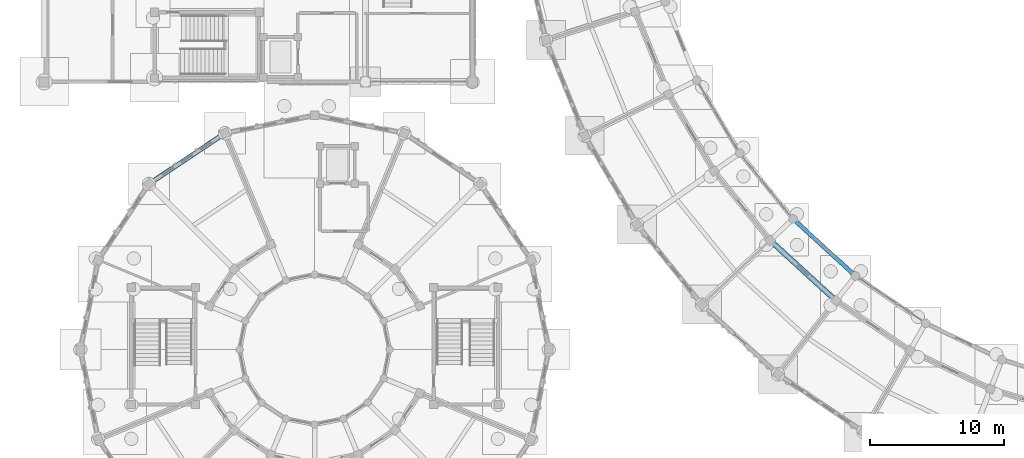
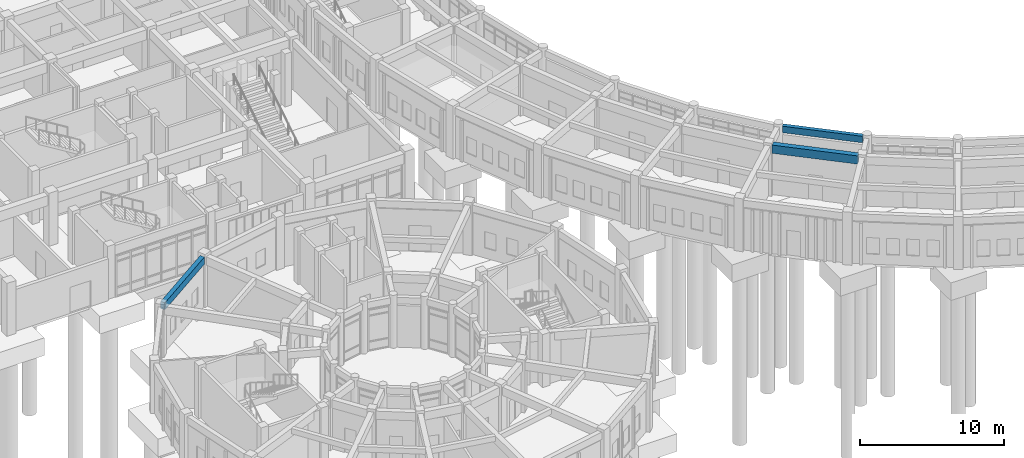
# One storey, part 26 of 153: 3 beams.
"""IFC4 building model written with IfcOpenShell, lengths in metres."""

from ifc_helpers import new_model, si_unit, direction, frame, origin, origin_2d, place, context, subcontext, project, spatial, rectangle, extrude, material, material_profile, profile_set, type_object, element, save


model = new_model("IFC4")

# Units and contexts
model_context = context("Model", 3, precision=1e-05, world=origin(), true_north=direction((0.0, 1.0)))
body_context = subcontext(model_context, "Body", "Model", "MODEL_VIEW")
ifc_project = project(units=[si_unit("LENGTHUNIT", "METRE"), si_unit("AREAUNIT", "SQUARE_METRE"), si_unit("VOLUMEUNIT", "CUBIC_METRE"), si_unit("PLANEANGLEUNIT", "RADIAN"), si_unit("MASSUNIT", "GRAM", prefix="KILO")], contexts=[model_context])

# Site, building, storey
site_placement = place(None, origin())
site = spatial("IfcSite", under=ifc_project, at=site_placement, CompositionType="ELEMENT")
building_placement = place(site_placement, origin())
building = spatial("IfcBuilding", under=site, at=building_placement, Name="Celadon Cloister-Ring School", CompositionType="ELEMENT")
storey_placement = place(building_placement, origin())
storey = spatial("IfcBuildingStorey", under=building, at=storey_placement, Name="L00", CompositionType="ELEMENT", Elevation=0.0)

# Beams
ifc_material_1 = material(Name="Concrete C35/45", Category="concrete")
ifc_material_profile_1 = material_profile(ifc_material_1, rectangle(XDim=0.39990234375, YDim=0.699951171875, at=origin_2d()), Name="RC400X700")
ifc_profile_set_1 = profile_set([ifc_material_profile_1], Name="Concrete C35/45")
beam_type_1 = type_object("IfcBeamType", Name="GT-03", PredefinedType="USERDEFINED", material=ifc_profile_set_1)
beam_1_placement = place(storey_placement, frame((54.43798828125, 27.968017578125, 3.929931640625), z_axis=(0.737556649421, -0.675285264829, 0.0), x_axis=(0.675285264829, 0.737556649421, 0.0)))
element("IfcBeam", 1, at=beam_1_placement, inside=storey, type_object=beam_type_1, Name="Beam 0116", ObjectType="GIRDER", PredefinedType="USERDEFINED", context=body_context, shape_type="SweptSolid", body=[
    extrude(rectangle(XDim=0.39990234375, YDim=0.699951171875, at=origin_2d()), origin(), (0.0, 0.0, 1.0), 6.1162109375),
])
ifc_material_2 = material(Name="Concrete C35/45", Category="concrete")
ifc_material_profile_2 = material_profile(ifc_material_2, rectangle(XDim=0.35009765625, YDim=0.60009765625, at=origin_2d()), Name="RC350X600")
ifc_profile_set_2 = profile_set([ifc_material_profile_2], Name="Concrete C35/45")
beam_type_2 = type_object("IfcBeamType", Name="SP-01", PredefinedType="SPANDREL", material=ifc_profile_set_2)
beam_2_placement = place(storey_placement, frame((13.25390625, 36.0009765625, 3.9599609375), z_axis=(-0.831507154531, -0.555514042993, 0.0), x_axis=(0.555514042993, -0.831507154531, 0.0)))
element("IfcBeam", 2, at=beam_2_placement, inside=storey, type_object=beam_type_2, Name="Beam 0887", PredefinedType="SPANDREL", context=body_context, shape_type="SweptSolid", body=[
    extrude(rectangle(XDim=0.35009765625, YDim=0.60009765625, at=origin_2d()), origin(), (0.0, 0.0, 1.0), 6.228515625),
])
ifc_material_3 = material(Name="Concrete C35/45", Category="concrete")
ifc_material_profile_3 = material_profile(ifc_material_3, rectangle(XDim=0.300048828125, YDim=0.550048828125, at=origin_2d()), Name="RC300X550")
ifc_profile_set_3 = profile_set([ifc_material_profile_3], Name="Concrete C35/45")
beam_type_3 = type_object("IfcBeamType", Name="SP-02", PredefinedType="SPANDREL", material=ifc_profile_set_3)
beam_3_placement = place(storey_placement, frame((56.1669921875, 29.56201171875, 4.0048828125), z_axis=(0.737627139735, -0.675208266187, 0.0), x_axis=(0.675208266187, 0.737627139735, 0.0)))
element("IfcBeam", 3, at=beam_3_placement, inside=storey, type_object=beam_type_3, Name="Beam 0117", PredefinedType="SPANDREL", context=body_context, shape_type="SweptSolid", body=[
    extrude(rectangle(XDim=0.300048828125, YDim=0.550048828125, at=origin_2d()), origin(), (0.0, 0.0, 1.0), 5.71826171875),
])

save(model, "model.ifc")
